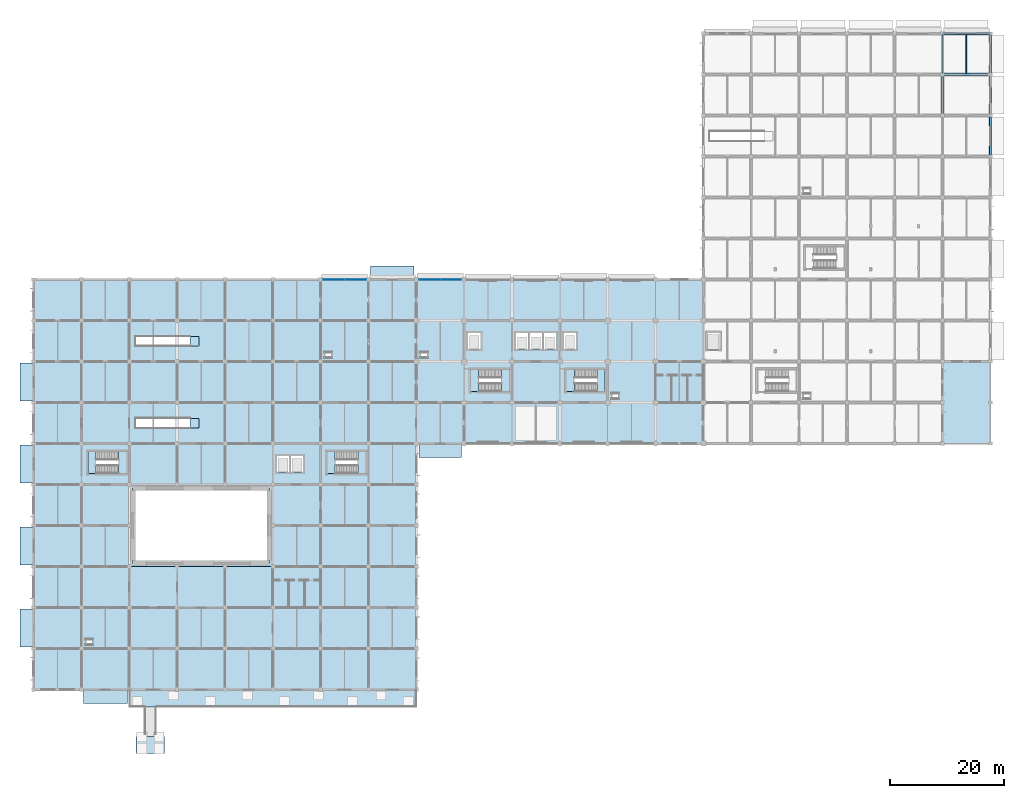
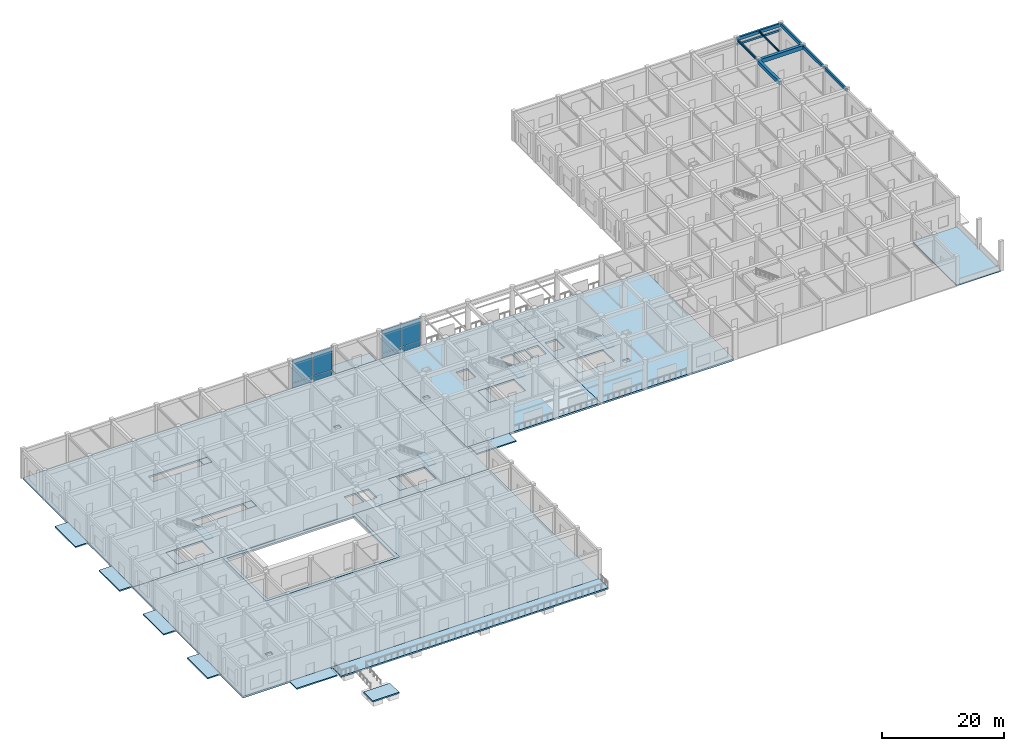
# One storey, part 10 of 39: 25 slabs, 9 beams, 8 plates, 7 elements without a shape of their own.
"""IFC4 building model written with IfcOpenShell, lengths in metres."""

from ifc_helpers import new_model, si_unit, derived_unit, direction, frame, origin, origin_2d, place, context, subcontext, project, spatial, polyline, rectangle, i_section, outline, extrude, material, layer, layer_set, material_profile, profile_set, type_object, element, aggregate, save


model = new_model("IFC4")

# Units and contexts
model_context = context("Model", 3, precision=1e-05, world=origin(), true_north=direction((0.0, 1.0)))
body_context = subcontext(model_context, "Body", "Model", "MODEL_VIEW")
ifc_project = project(units=[si_unit("LENGTHUNIT", "METRE"), si_unit("AREAUNIT", "SQUARE_METRE"), si_unit("VOLUMEUNIT", "CUBIC_METRE"), si_unit("PLANEANGLEUNIT", "RADIAN"), si_unit("MASSUNIT", "GRAM", prefix="KILO"), derived_unit("THERMALTRANSMITTANCEUNIT", [(si_unit("MASSUNIT", "GRAM", prefix="KILO"), 1), (si_unit("TIMEUNIT", "SECOND"), -3), (si_unit("THERMODYNAMICTEMPERATUREUNIT", "KELVIN"), -1)])], contexts=[model_context])

# Site, building, storey
site_placement = place(None, origin())
site = spatial("IfcSite", under=ifc_project, at=site_placement, CompositionType="ELEMENT")
building_placement = place(site_placement, origin())
building = spatial("IfcBuilding", under=site, at=building_placement, Name="Veldstrom Oceanarium and Marine Research Institute", CompositionType="ELEMENT")
storey_placement = place(building_placement, origin())
storey = spatial("IfcBuildingStorey", under=building, at=storey_placement, Name="L00", CompositionType="ELEMENT", Elevation=0.0)

# Beams
ifc_material_1 = material(Name="Concrete C40/50", Category="concrete")
ifc_material_profile_1 = material_profile(ifc_material_1, rectangle(XDim=0.550048828125, YDim=0.800048828125, at=origin_2d()), Name="RC-BM-550x800")
ifc_profile_set_1 = profile_set([ifc_material_profile_1], Name="Concrete C40/50")
beam_type_1 = type_object("IfcBeamType", Name="STR-BM-B02", PredefinedType="BEAM", material=ifc_profile_set_1)
beam_1_placement = place(storey_placement, frame((159.60009765625, 108.0, 5.3701171875), z_axis=(1.0, 0.0, 0.0), x_axis=(0.0, 1.0, 0.0)))
element("IfcBeam", 1, at=beam_1_placement, inside=storey, type_object=beam_type_1, Name="Primary Beam B02 L00-0889", PredefinedType="BEAM", context=body_context, shape_type="SweptSolid", body=[
    extrude(rectangle(XDim=0.550048828125, YDim=0.800048828125, at=origin_2d()), origin(), (0.0, 0.0, 1.0), 8.39990234375),
])
ifc_material_2 = material(Name="Concrete C40/50", Category="concrete")
ifc_material_profile_2 = material_profile(ifc_material_2, rectangle(XDim=0.5, YDim=0.75, at=origin_2d()), Name="RC-BM-500x750")
ifc_profile_set_2 = profile_set([ifc_material_profile_2], Name="Concrete C40/50")
beam_type_2 = type_object("IfcBeamType", Name="STR-BM-B03", PredefinedType="BEAM", material=ifc_profile_set_2)
beam_2_placement = place(storey_placement, frame((159.60009765625, 100.800048828125, 5.39501953125), z_axis=(0.0, 1.0, 0.0), x_axis=(-1.0, 0.0, 0.0)))
element("IfcBeam", 2, at=beam_2_placement, inside=storey, type_object=beam_type_2, Name="Primary Beam B03 L00-1053", PredefinedType="BEAM", context=body_context, shape_type="SweptSolid", body=[
    extrude(rectangle(XDim=0.5, YDim=0.75, at=origin_2d()), origin(), (0.0, 0.0, 1.0), 7.199951171875),
])
ifc_material_3 = material(Name="Steel S355JR", Category="steel")
ifc_material_profile_3 = material_profile(ifc_material_3, i_section(OverallWidth=0.199951171875, OverallDepth=0.5, WebThickness=0.01025390625, FlangeThickness=0.01611328125, FilletRadius=0.02099609375, at=origin_2d()), Name="IPE 500")
ifc_profile_set_3 = profile_set([ifc_material_profile_3], Name="Steel S355JR")
beam_type_3 = type_object("IfcBeamType", Name="STR-BM-SB6", PredefinedType="BEAM", material=ifc_profile_set_3)
beam_3_placement = place(storey_placement, frame((159.60009765625, 108.0, 5.52001953125), z_axis=(0.0, 1.0, 0.0), x_axis=(-1.0, 0.0, 0.0)))
element("IfcBeam", 3, at=beam_3_placement, inside=storey, type_object=beam_type_3, Name="Steel Tie Beam SB6 L00-1054", PredefinedType="BEAM", context=body_context, shape_type="SweptSolid", body=[
    extrude(i_section(OverallWidth=0.199951171875, OverallDepth=0.5, WebThickness=0.01025390625, FlangeThickness=0.01611328125, FilletRadius=0.02099609375, at=origin_2d()), origin(), (0.0, 0.0, 1.0), 7.199951171875),
])
ifc_material_4 = material(Name="Steel S355JR", Category="steel")
ifc_material_profile_4 = material_profile(ifc_material_4, i_section(OverallWidth=0.169921875, OverallDepth=0.360107421875, WebThickness=0.008056640625, FlangeThickness=0.0126953125, FilletRadius=0.01806640625, at=origin_2d()), Name="IPE 360")
ifc_profile_set_4 = profile_set([ifc_material_profile_4], Name="Steel S355JR")
beam_type_4 = type_object("IfcBeamType", Name="STR-JST-SJ1", PredefinedType="JOIST", material=ifc_profile_set_4)
beam_4_placement = place(storey_placement, frame((163.800048828125, 108.27490234375, 5.590087890625), z_axis=(0.0, 1.0, 0.0), x_axis=(-1.0, 0.0, 0.0)))
element("IfcBeam", 4, at=beam_4_placement, inside=storey, type_object=beam_type_4, Name="Secondary Joist SJ1 L00-1131", PredefinedType="JOIST", context=body_context, shape_type="SweptSolid", body=[
    extrude(i_section(OverallWidth=0.169921875, OverallDepth=0.360107421875, WebThickness=0.008056640625, FlangeThickness=0.0126953125, FilletRadius=0.01806640625, at=origin_2d()), origin(), (0.0, 0.0, 1.0), 6.75),
])
ifc_material_5 = material(Name="Concrete C40/50", Category="concrete")
ifc_material_profile_5 = material_profile(ifc_material_5, rectangle(XDim=0.300048828125, YDim=0.39990234375, at=origin_2d()), Name="RC-LNT-300x400")
ifc_profile_set_5 = profile_set([ifc_material_profile_5], Name="Concrete C40/50")
beam_type_5 = type_object("IfcBeamType", Name="STR-LNT-LN1", PredefinedType="LINTEL", material=ifc_profile_set_5)
beam_5_placement = place(storey_placement, frame((159.60009765625, 115.199951171875, 4.39990234375), z_axis=(1.0, 0.0, 0.0), x_axis=(0.0, 1.0, 0.0)))
element("IfcBeam", 5, at=beam_5_placement, inside=storey, type_object=beam_type_5, Name="Portal Lintel LN1-02", PredefinedType="LINTEL", context=body_context, shape_type="SweptSolid", body=[
    extrude(rectangle(XDim=0.300048828125, YDim=0.39990234375, at=origin_2d()), origin(), (0.0, 0.0, 1.0), 8.39990234375),
])
ifc_material_6 = material(Name="Concrete C40/50", Category="concrete")
ifc_material_profile_6 = material_profile(ifc_material_6, rectangle(XDim=0.35009765625, YDim=0.64990234375, at=origin_2d()), Name="RC-SPN-350x650")
ifc_profile_set_6 = profile_set([ifc_material_profile_6], Name="Concrete C40/50")
beam_type_6 = type_object("IfcBeamType", Name="STR-SPN-SP1", PredefinedType="SPANDREL", material=ifc_profile_set_6)
beam_6_placement = place(storey_placement, frame((159.60009765625, 115.199951171875, 5.445068359375), z_axis=(1.0, 0.0, 0.0), x_axis=(0.0, 1.0, 0.0)))
element("IfcBeam", 6, at=beam_6_placement, inside=storey, type_object=beam_type_6, Name="Perimeter Spandrel SPB1 L00-0890", PredefinedType="SPANDREL", context=body_context, shape_type="SweptSolid", body=[
    extrude(rectangle(XDim=0.35009765625, YDim=0.64990234375, at=origin_2d()), origin(), (0.0, 0.0, 1.0), 8.39990234375),
])
for number, where, z_axis, x_axis, name in (
    (7, (168.0, 93.60009765625, 5.445068359375), (0.0, 1.0, 0.0), (-1.0, 0.0, 0.0), "Perimeter Spandrel SPB1 L00-1060"),
    (8, (168.0, 100.800048828125, 5.445068359375), (0.0, 1.0, 0.0), (-1.0, 0.0, 0.0), "Perimeter Spandrel SPB1 L00-1061"),
    (9, (168.0, 108.0, 5.445068359375), (0.0, 1.0, 0.0), (-1.0, 0.0, 0.0), "Perimeter Spandrel SPB1 L00-1062"),
):
    element("IfcBeam", number, at=place(storey_placement, frame(where, z_axis=z_axis, x_axis=x_axis)), inside=storey, type_object=beam_type_6, Name=name, PredefinedType="SPANDREL", context=body_context, shape_type="SweptSolid", body=[
        extrude(rectangle(XDim=0.35009765625, YDim=0.64990234375, at=origin_2d()), origin(), (0.0, 0.0, 1.0), 7.199951171875),
    ])

# Curtain wall, plates
ifc_material_7 = material(Name="Anodised Aluminium Framing", Category="aluminium")
curtain_wall_type = type_object("IfcCurtainWallType", Name="ARC-CW-CW01", PredefinedType="USERDEFINED", material=ifc_material_7)
curtain_wall_1_placement = place(storey_placement, origin())
curtain_wall_1 = element("IfcCurtainWall", 10, at=curtain_wall_1_placement, inside=storey, type_object=curtain_wall_type, Name="Curtain Wall CW01 CW-L00-001", ObjectType="Curtain wall", PredefinedType="USERDEFINED")
ifc_material_8 = material(Name="Double Glazed Low-E IGU", Category="glass")
ifc_layer_1 = layer(ifc_material_8, 0.035888671875)
ifc_layer_set_1 = layer_set([ifc_layer_1], Name="ARC-PLT-CP01")
plate_type_1 = type_object("IfcPlateType", Name="ARC-PLT-CP01", PredefinedType="CURTAIN_PANEL", material=ifc_layer_set_1)
plate_1_placement = place(storey_placement, frame((52.695068359375, 72.0, 1.090087890625), z_axis=(0.0, 0.0, 1.0), x_axis=(1.0, 0.0, 0.0)))
plate_1 = element("IfcPlate", 11, at=plate_1_placement, type_object=plate_type_1, Name="Curtain Vision Panel CW-L00-001-PNL-V1", PredefinedType="CURTAIN_PANEL", context=body_context, shape_type="SweptSolid", body=[
    extrude(rectangle(XDim=3.72998046875, YDim=0.035888671875, at=origin_2d()), origin(), (0.0, 0.0, 1.0), 4.56494140625),
])
plate_2_placement = place(storey_placement, frame((56.5048828125, 72.0, 1.090087890625), z_axis=(0.0, 0.0, 1.0), x_axis=(1.0, 0.0, 0.0)))
plate_2 = element("IfcPlate", 12, at=plate_2_placement, type_object=plate_type_1, Name="Curtain Vision Panel CW-L00-001-PNL-V2", PredefinedType="CURTAIN_PANEL", context=body_context, shape_type="SweptSolid", body=[
    extrude(rectangle(XDim=3.72998046875, YDim=0.035888671875, at=origin_2d()), origin(), (0.0, 0.0, 1.0), 4.56494140625),
])

curtain_wall_2_placement = place(storey_placement, origin())
curtain_wall_2 = element("IfcCurtainWall", 13, at=curtain_wall_2_placement, inside=storey, type_object=curtain_wall_type, Name="Curtain Wall CW01 CW-L00-002", ObjectType="Curtain wall", PredefinedType="USERDEFINED")
plate_3_placement = place(storey_placement, frame((69.544921875, 72.0, 1.090087890625), z_axis=(0.0, 0.0, 1.0), x_axis=(1.0, 0.0, 0.0)))
plate_3 = element("IfcPlate", 14, at=plate_3_placement, type_object=plate_type_1, Name="Curtain Vision Panel CW-L00-002-PNL-V1", PredefinedType="CURTAIN_PANEL", context=body_context, shape_type="SweptSolid", body=[
    extrude(rectangle(XDim=3.6298828125, YDim=0.035888671875, at=origin_2d()), origin(), (0.0, 0.0, 1.0), 4.56494140625),
])
plate_4_placement = place(storey_placement, frame((73.2548828125, 72.0, 1.090087890625), z_axis=(0.0, 0.0, 1.0), x_axis=(1.0, 0.0, 0.0)))
plate_4 = element("IfcPlate", 15, at=plate_4_placement, type_object=plate_type_1, Name="Curtain Vision Panel CW-L00-002-PNL-V2", PredefinedType="CURTAIN_PANEL", context=body_context, shape_type="SweptSolid", body=[
    extrude(rectangle(XDim=3.6298828125, YDim=0.035888671875, at=origin_2d()), origin(), (0.0, 0.0, 1.0), 4.56494140625),
])

# Plate
ifc_material_9 = material(Name="Insulated Aluminium Spandrel", Category="aluminium")
ifc_layer_2 = layer(ifc_material_9, 0.044921875)
ifc_layer_set_2 = layer_set([ifc_layer_2], Name="ARC-PLT-CP02")
plate_type_2 = type_object("IfcPlateType", Name="ARC-PLT-CP02", PredefinedType="CURTAIN_PANEL", material=ifc_layer_set_2)
plate_5_placement = place(storey_placement, frame((52.695068359375, 72.0, 0.02001953125), z_axis=(0.0, 0.0, 1.0), x_axis=(1.0, 0.0, 0.0)))
plate_5 = element("IfcPlate", 16, at=plate_5_placement, type_object=plate_type_2, Name="Curtain Spandrel Panel CW-L00-001-PNL-S1", PredefinedType="CURTAIN_PANEL", context=body_context, shape_type="SweptSolid", body=[
    extrude(rectangle(XDim=3.72998046875, YDim=0.044921875, at=origin_2d()), origin(), (0.0, 0.0, 1.0), 0.989990234375),
])

plate_6_placement = place(storey_placement, frame((56.5048828125, 72.0, 0.02001953125), z_axis=(0.0, 0.0, 1.0), x_axis=(1.0, 0.0, 0.0)))
plate_6 = element("IfcPlate", 17, at=plate_6_placement, type_object=plate_type_2, Name="Curtain Spandrel Panel CW-L00-001-PNL-S2", PredefinedType="CURTAIN_PANEL", context=body_context, shape_type="SweptSolid", body=[
    extrude(rectangle(XDim=3.72998046875, YDim=0.044921875, at=origin_2d()), origin(), (0.0, 0.0, 1.0), 0.989990234375),
])

aggregate(curtain_wall_1, [plate_5, plate_1, plate_6, plate_2])

plate_7_placement = place(storey_placement, frame((69.544921875, 72.0, 0.02001953125), z_axis=(0.0, 0.0, 1.0), x_axis=(1.0, 0.0, 0.0)))
plate_7 = element("IfcPlate", 18, at=plate_7_placement, type_object=plate_type_2, Name="Curtain Spandrel Panel CW-L00-002-PNL-S1", PredefinedType="CURTAIN_PANEL", context=body_context, shape_type="SweptSolid", body=[
    extrude(rectangle(XDim=3.6298828125, YDim=0.044921875, at=origin_2d()), origin(), (0.0, 0.0, 1.0), 0.989990234375),
])

plate_8_placement = place(storey_placement, frame((73.2548828125, 72.0, 0.02001953125), z_axis=(0.0, 0.0, 1.0), x_axis=(1.0, 0.0, 0.0)))
plate_8 = element("IfcPlate", 19, at=plate_8_placement, type_object=plate_type_2, Name="Curtain Spandrel Panel CW-L00-002-PNL-S2", PredefinedType="CURTAIN_PANEL", context=body_context, shape_type="SweptSolid", body=[
    extrude(rectangle(XDim=3.6298828125, YDim=0.044921875, at=origin_2d()), origin(), (0.0, 0.0, 1.0), 0.989990234375),
])

aggregate(curtain_wall_2, [plate_7, plate_3, plate_8, plate_4])

# Slabs
ifc_material_10 = material(Name="Concrete C40/50", Category="concrete")
ifc_layer_3 = layer(ifc_material_10, 0.25)
ifc_layer_set_3 = layer_set([ifc_layer_3], Name="STR-SLB-FL0250")
slab_type_1 = type_object("IfcSlabType", Name="STR-SLB-FL0250", PredefinedType="FLOOR", material=ifc_layer_set_3)
slab_1_placement = place(storey_placement, frame((0.0, 0.0, -0.25)))
element("IfcSlab", 20, at=slab_1_placement, inside=storey, type_object=slab_type_1, Name="Street Threshold Paving Apron D-L00-001", PredefinedType="FLOOR", context=body_context, shape_type="SweptSolid", body=[
    extrude(outline(polyline([(-2.39990234375, 7.449951171875), (0.0, 7.449951171875), (0.0, 14.14990234375), (-2.39990234375, 14.14990234375), (-2.39990234375, 7.449951171875)])), origin(), (0.0, 0.0, 1.0), 0.25),
])
slab_2_placement = place(storey_placement, frame((0.0, 0.0, -0.25)))
element("IfcSlab", 21, at=slab_2_placement, inside=storey, type_object=slab_type_1, Name="Street Threshold Paving Apron D-L00-002", PredefinedType="FLOOR", context=body_context, shape_type="SweptSolid", body=[
    extrude(outline(polyline([(-2.39990234375, 21.85009765625), (0.0, 21.85009765625), (0.0, 28.550048828125), (-2.39990234375, 28.550048828125), (-2.39990234375, 21.85009765625)])), origin(), (0.0, 0.0, 1.0), 0.25),
])
slab_3_placement = place(storey_placement, frame((0.0, 0.0, -0.25)))
element("IfcSlab", 22, at=slab_3_placement, inside=storey, type_object=slab_type_1, Name="Street Threshold Paving Apron D-L00-003", PredefinedType="FLOOR", context=body_context, shape_type="SweptSolid", body=[
    extrude(outline(polyline([(-2.39990234375, 36.25), (0.0, 36.25), (0.0, 42.949951171875), (-2.39990234375, 42.949951171875), (-2.39990234375, 36.25)])), origin(), (0.0, 0.0, 1.0), 0.25),
])
slab_4_placement = place(storey_placement, frame((0.0, 0.0, -0.25)))
element("IfcSlab", 23, at=slab_4_placement, inside=storey, type_object=slab_type_1, Name="Street Threshold Paving Apron D-L00-004", PredefinedType="FLOOR", context=body_context, shape_type="SweptSolid", body=[
    extrude(outline(polyline([(-2.39990234375, 50.64990234375), (0.0, 50.64990234375), (0.0, 57.35009765625), (-2.39990234375, 57.35009765625), (-2.39990234375, 50.64990234375)])), origin(), (0.0, 0.0, 1.0), 0.25),
])
slab_5_placement = place(storey_placement, frame((0.0, 0.0, -0.25)))
element("IfcSlab", 24, at=slab_5_placement, inside=storey, type_object=slab_type_1, Name="Street Threshold Paving Apron D-L00-005", PredefinedType="FLOOR", context=body_context, shape_type="SweptSolid", body=[
    extrude(outline(polyline([(8.75, -2.39990234375), (16.449951171875, -2.39990234375), (16.449951171875, 0.0), (8.75, 0.0), (8.75, -2.39990234375)])), origin(), (0.0, 0.0, 1.0), 0.25),
])
slab_6_placement = place(storey_placement, frame((0.0, 0.0, -0.25)))
element("IfcSlab", 25, at=slab_6_placement, inside=storey, type_object=slab_type_1, Name="Street Threshold Paving Apron D-L00-012", PredefinedType="FLOOR", context=body_context, shape_type="SweptSolid", body=[
    extrude(outline(polyline([(59.14990234375, 72.0), (66.75, 72.0), (66.75, 74.39990234375), (59.14990234375, 74.39990234375), (59.14990234375, 72.0)])), origin(), (0.0, 0.0, 1.0), 0.25),
])
slab_7_placement = place(storey_placement, frame((0.0, 0.0, -0.25)))
element("IfcSlab", 26, at=slab_7_placement, inside=storey, type_object=slab_type_1, Name="Street Threshold Paving Apron D-L00-013", PredefinedType="FLOOR", context=body_context, shape_type="SweptSolid", body=[
    extrude(outline(polyline([(67.64990234375, 40.800048828125), (75.14990234375, 40.800048828125), (75.14990234375, 43.199951171875), (67.64990234375, 43.199951171875), (67.64990234375, 40.800048828125)])), origin(), (0.0, 0.0, 1.0), 0.25),
])

# Ramp, slab
ifc_material_11 = material(Name="Concrete C40/50", Category="concrete")
ramp_type = type_object("IfcRampType", Name="ARC-RMP-R01", PredefinedType="STRAIGHT_RUN_RAMP", material=ifc_material_11)
ramp_placement = place(storey_placement, origin())
ramp = element("IfcRamp", 27, at=ramp_placement, inside=storey, type_object=ramp_type, Name="Main Entrance Accessible Ramp R01", PredefinedType="STRAIGHT_RUN_RAMP")
slab_8_placement = place(storey_placement, frame((0.0, 0.0, -0.679931640625)))
slab_8 = element("IfcSlab", 28, at=slab_8_placement, type_object=slab_type_1, Name="Accessible Forecourt Ramp Foot Landing Slab", PredefinedType="FLOOR", context=body_context, shape_type="SweptSolid", body=[
    extrude(outline(polyline([(18.0, -11.199951171875), (23.0, -11.199951171875), (23.0, -8.199951171875), (18.0, -8.199951171875), (18.0, -11.199951171875)])), origin(), (0.0, 0.0, 1.0), 0.25),
])
aggregate(ramp, [slab_8])

# Slabs
ifc_material_12 = material(Name="Concrete C40/50", Category="concrete")
ifc_layer_4 = layer(ifc_material_12, 0.300048828125)
ifc_layer_set_4 = layer_set([ifc_layer_4], Name="STR-SLB-FL0300")
slab_type_2 = type_object("IfcSlabType", Name="STR-SLB-FL0300", PredefinedType="FLOOR", material=ifc_layer_set_4)
slab_9_placement = place(storey_placement, frame((0.0, 0.0, -0.300048828125)))
element("IfcSlab", 29, at=slab_9_placement, inside=storey, type_object=slab_type_2, Name="Forecourt Entrance Plaza Slab L00", PredefinedType="FLOOR", context=body_context, shape_type="SweptSolid", body=[
    extrude(outline(polyline([(16.800048828125, -3.0), (67.199951171875, -3.0), (67.199951171875, 0.0), (16.800048828125, 0.0), (16.800048828125, -3.0)])), origin(), (0.0, 0.0, 1.0), 0.300048828125),
])
ifc_material_13 = material(Name="Concrete C40/50", Category="concrete")
ifc_layer_5 = layer(ifc_material_13, 0.35009765625)
ifc_layer_set_5 = layer_set([ifc_layer_5], Name="STR-SLB-FL0350")
slab_type_3 = type_object("IfcSlabType", Name="STR-SLB-FL0350", PredefinedType="FLOOR", material=ifc_layer_set_5)
slab_10_placement = place(storey_placement, frame((0.0, 0.0, -0.35009765625)))
element("IfcSlab", 30, at=slab_10_placement, inside=storey, type_object=slab_type_3, Name="Slab SF-350 L00 OT", PredefinedType="FLOOR", context=body_context, shape_type="SweptSolid", body=[
    extrude(outline(polyline([(25.199951171875, 21.60009765625), (16.800048828125, 21.60009765625), (16.800048828125, 28.800048828125), (16.800048828125, 36.0), (25.199951171875, 36.0), (33.60009765625, 36.0), (42.0, 36.0), (42.0, 28.800048828125), (42.0, 21.60009765625), (33.60009765625, 21.60009765625), (25.199951171875, 21.60009765625)]), holes=[polyline([(17.39990234375, 35.39990234375), (17.39990234375, 22.199951171875), (41.39990234375, 22.199951171875), (41.39990234375, 35.39990234375), (17.39990234375, 35.39990234375)])]), origin(), (0.0, 0.0, 1.0), 0.35009765625),
])
slab_11_placement = place(storey_placement, frame((0.0, 0.0, -0.35009765625)))
element("IfcSlab", 31, at=slab_11_placement, inside=storey, type_object=slab_type_3, Name="Slab SF-350 L00 WS", PredefinedType="FLOOR", context=body_context, shape_type="SweptSolid", body=[
    extrude(outline(polyline([(58.800048828125, 36.0), (67.199951171875, 36.0), (67.199951171875, 28.800048828125), (67.199951171875, 21.60009765625), (67.199951171875, 14.39990234375), (67.199951171875, 7.199951171875), (67.199951171875, 0.0), (58.800048828125, 0.0), (50.39990234375, 0.0), (42.0, 0.0), (33.60009765625, 0.0), (25.199951171875, 0.0), (16.800048828125, 0.0), (8.39990234375, 0.0), (0.0, 0.0), (0.0, 7.199951171875), (0.0, 14.39990234375), (0.0, 21.60009765625), (0.0, 28.800048828125), (0.0, 36.0), (8.39990234375, 36.0), (16.800048828125, 36.0), (16.800048828125, 28.800048828125), (16.800048828125, 21.60009765625), (25.199951171875, 21.60009765625), (33.60009765625, 21.60009765625), (42.0, 21.60009765625), (42.0, 28.800048828125), (42.0, 36.0), (50.39990234375, 36.0), (58.800048828125, 36.0)]), holes=[polyline([(10.300048828125, 8.800048828125), (9.199951171875, 8.800048828125), (9.199951171875, 8.0), (10.300048828125, 8.0), (10.300048828125, 8.800048828125)])]), origin(), (0.0, 0.0, 1.0), 0.35009765625),
])
slab_12_placement = place(storey_placement, frame((0.0, 0.0, -0.35009765625)))
element("IfcSlab", 32, at=slab_12_placement, inside=storey, type_object=slab_type_3, Name="Slab SF-350 L00 WN", PredefinedType="FLOOR", context=body_context, shape_type="SweptSolid", body=[
    extrude(outline(polyline([(67.199951171875, 50.39990234375), (67.199951171875, 43.199951171875), (67.199951171875, 36.0), (58.800048828125, 36.0), (50.39990234375, 36.0), (42.0, 36.0), (33.60009765625, 36.0), (25.199951171875, 36.0), (16.800048828125, 36.0), (8.39990234375, 36.0), (0.0, 36.0), (0.0, 43.199951171875), (0.0, 50.39990234375), (0.0, 57.60009765625), (0.0, 64.800048828125), (0.0, 72.0), (8.39990234375, 72.0), (16.800048828125, 72.0), (25.199951171875, 72.0), (33.60009765625, 72.0), (42.0, 72.0), (50.39990234375, 72.0), (58.800048828125, 72.0), (67.199951171875, 72.0), (67.199951171875, 64.800048828125), (67.199951171875, 57.60009765625), (67.199951171875, 50.39990234375)]), holes=[polyline([(16.360107421875, 38.0), (16.360107421875, 41.800048828125), (9.52001953125, 41.800048828125), (9.52001953125, 38.0), (16.360107421875, 38.0)]), polyline([(51.52001953125, 41.800048828125), (51.52001953125, 38.0), (58.360107421875, 38.0), (58.360107421875, 41.800048828125), (51.52001953125, 41.800048828125)]), polyline([(29.0400390625, 45.945068359375), (29.0400390625, 47.655029296875), (17.8798828125, 47.655029296875), (17.8798828125, 45.945068359375), (29.0400390625, 45.945068359375)]), polyline([(17.8798828125, 60.39501953125), (29.0400390625, 60.39501953125), (29.0400390625, 62.0048828125), (17.8798828125, 62.0048828125), (17.8798828125, 60.39501953125)]), polyline([(44.85009765625, 38.199951171875), (44.85009765625, 41.0), (42.699951171875, 41.0), (42.699951171875, 38.199951171875), (44.85009765625, 38.199951171875)]), polyline([(45.14990234375, 38.199951171875), (47.300048828125, 38.199951171875), (47.300048828125, 41.0), (45.14990234375, 41.0), (45.14990234375, 38.199951171875)]), polyline([(52.300048828125, 59.199951171875), (51.199951171875, 59.199951171875), (51.199951171875, 58.39990234375), (52.300048828125, 58.39990234375), (52.300048828125, 59.199951171875)])]), origin(), (0.0, 0.0, 1.0), 0.35009765625),
])
slab_13_placement = place(storey_placement, frame((0.0, 0.0, -0.35009765625)))
element("IfcSlab", 33, at=slab_13_placement, inside=storey, type_object=slab_type_3, Name="Slab SF-350 L00 CW", PredefinedType="FLOOR", context=body_context, shape_type="SweptSolid", body=[
    extrude(outline(polyline([(92.39990234375, 72.0), (92.39990234375, 64.800048828125), (92.39990234375, 57.60009765625), (92.39990234375, 50.39990234375), (92.39990234375, 43.199951171875), (84.0, 43.199951171875), (75.60009765625, 43.199951171875), (67.199951171875, 43.199951171875), (67.199951171875, 50.39990234375), (67.199951171875, 57.60009765625), (67.199951171875, 64.800048828125), (67.199951171875, 72.0), (75.60009765625, 72.0), (84.0, 72.0), (92.39990234375, 72.0)]), holes=[polyline([(76.719970703125, 56.199951171875), (76.719970703125, 52.39990234375), (83.56005859375, 52.39990234375), (83.56005859375, 56.199951171875), (76.719970703125, 56.199951171875)]), polyline([(78.449951171875, 62.60009765625), (76.300048828125, 62.60009765625), (76.300048828125, 59.800048828125), (78.449951171875, 59.800048828125), (78.449951171875, 62.60009765625)]), polyline([(84.699951171875, 59.800048828125), (86.85009765625, 59.800048828125), (86.85009765625, 62.60009765625), (84.699951171875, 62.60009765625), (84.699951171875, 59.800048828125)]), polyline([(87.14990234375, 62.60009765625), (87.14990234375, 59.800048828125), (89.300048828125, 59.800048828125), (89.300048828125, 62.60009765625), (87.14990234375, 62.60009765625)]), polyline([(91.75, 62.60009765625), (89.60009765625, 62.60009765625), (89.60009765625, 59.800048828125), (91.75, 59.800048828125), (91.75, 62.60009765625)]), polyline([(69.10009765625, 59.199951171875), (68.0, 59.199951171875), (68.0, 58.39990234375), (69.10009765625, 58.39990234375), (69.10009765625, 59.199951171875)])]), origin(), (0.0, 0.0, 1.0), 0.35009765625),
])
slab_14_placement = place(storey_placement, frame((0.0, 0.0, -0.35009765625)))
element("IfcSlab", 34, at=slab_14_placement, inside=storey, type_object=slab_type_3, Name="Slab SF-350 L00 CE", PredefinedType="FLOOR", context=body_context, shape_type="SweptSolid", body=[
    extrude(outline(polyline([(109.199951171875, 72.0), (117.60009765625, 72.0), (117.60009765625, 64.800048828125), (117.60009765625, 57.60009765625), (117.60009765625, 50.39990234375), (117.60009765625, 43.199951171875), (109.199951171875, 43.199951171875), (100.800048828125, 43.199951171875), (92.39990234375, 43.199951171875), (92.39990234375, 50.39990234375), (92.39990234375, 57.60009765625), (92.39990234375, 64.800048828125), (92.39990234375, 72.0), (100.800048828125, 72.0), (109.199951171875, 72.0)]), holes=[polyline([(100.360107421875, 56.199951171875), (93.52001953125, 56.199951171875), (93.52001953125, 52.39990234375), (100.360107421875, 52.39990234375), (100.360107421875, 56.199951171875)]), polyline([(95.25, 59.800048828125), (95.25, 62.60009765625), (93.10009765625, 62.60009765625), (93.10009765625, 59.800048828125), (95.25, 59.800048828125)]), polyline([(102.699951171875, 52.0), (101.60009765625, 52.0), (101.60009765625, 51.199951171875), (102.699951171875, 51.199951171875), (102.699951171875, 52.0)])]), origin(), (0.0, 0.0, 1.0), 0.35009765625),
])

# Stair, slab
ifc_material_14 = material(Name="Concrete C40/50", Category="concrete")
stair_type = type_object("IfcStairType", Name="ARC-STR-ST-600", PredefinedType="TWO_STRAIGHT_RUN_STAIR", material=ifc_material_14)
stair_1_placement = place(storey_placement, origin())
stair_1 = element("IfcStair", 35, at=stair_1_placement, inside=storey, type_object=stair_type, Name="Dog-Leg Escape Stair ST1-L00", PredefinedType="TWO_STRAIGHT_RUN_STAIR")
ifc_material_15 = material(Name="Concrete C40/50", Category="concrete")
ifc_layer_6 = layer(ifc_material_15, 0.179931640625)
ifc_layer_set_6 = layer_set([ifc_layer_6], Name="STR-SLB-LD180")
slab_type_4 = type_object("IfcSlabType", Name="STR-SLB-LD180", PredefinedType="LANDING", material=ifc_layer_set_6)
slab_15_placement = place(storey_placement, frame((0.0, 0.0, 2.820068359375)))
slab_15 = element("IfcSlab", 36, at=slab_15_placement, type_object=slab_type_4, Name="Stair Half-Landing ST1 L00", PredefinedType="LANDING", context=body_context, shape_type="SweptSolid", body=[
    extrude(outline(polyline([(82.139892578125, 52.39990234375), (83.56005859375, 52.39990234375), (83.56005859375, 56.199951171875), (82.139892578125, 56.199951171875), (82.139892578125, 52.39990234375)])), origin(), (0.0, 0.0, 1.0), 0.179931640625),
])
aggregate(stair_1, [slab_15])

stair_2_placement = place(storey_placement, origin())
stair_2 = element("IfcStair", 37, at=stair_2_placement, inside=storey, type_object=stair_type, Name="Dog-Leg Escape Stair ST2-L00", PredefinedType="TWO_STRAIGHT_RUN_STAIR")
slab_16_placement = place(storey_placement, frame((0.0, 0.0, 2.820068359375)))
slab_16 = element("IfcSlab", 38, at=slab_16_placement, type_object=slab_type_4, Name="Stair Half-Landing ST2 L00", PredefinedType="LANDING", context=body_context, shape_type="SweptSolid", body=[
    extrude(outline(polyline([(98.93994140625, 52.39990234375), (100.360107421875, 52.39990234375), (100.360107421875, 56.199951171875), (98.93994140625, 56.199951171875), (98.93994140625, 52.39990234375)])), origin(), (0.0, 0.0, 1.0), 0.179931640625),
])
aggregate(stair_2, [slab_16])

stair_3_placement = place(storey_placement, origin())
stair_3 = element("IfcStair", 39, at=stair_3_placement, inside=storey, type_object=stair_type, Name="Dog-Leg Escape Stair ST3-L00", PredefinedType="TWO_STRAIGHT_RUN_STAIR")
slab_17_placement = place(storey_placement, frame((0.0, 0.0, 2.820068359375)))
slab_17 = element("IfcSlab", 40, at=slab_17_placement, type_object=slab_type_4, Name="Stair Half-Landing ST3 L00", PredefinedType="LANDING", context=body_context, shape_type="SweptSolid", body=[
    extrude(outline(polyline([(14.93994140625, 38.0), (16.360107421875, 38.0), (16.360107421875, 41.800048828125), (14.93994140625, 41.800048828125), (14.93994140625, 38.0)])), origin(), (0.0, 0.0, 1.0), 0.179931640625),
])
aggregate(stair_3, [slab_17])

stair_4_placement = place(storey_placement, origin())
stair_4 = element("IfcStair", 41, at=stair_4_placement, inside=storey, type_object=stair_type, Name="Dog-Leg Escape Stair ST6-L00", PredefinedType="TWO_STRAIGHT_RUN_STAIR")
slab_18_placement = place(storey_placement, frame((0.0, 0.0, 2.820068359375)))
slab_18 = element("IfcSlab", 42, at=slab_18_placement, type_object=slab_type_4, Name="Stair Half-Landing ST6 L00", PredefinedType="LANDING", context=body_context, shape_type="SweptSolid", body=[
    extrude(outline(polyline([(56.93994140625, 38.0), (58.360107421875, 38.0), (58.360107421875, 41.800048828125), (56.93994140625, 41.800048828125), (56.93994140625, 38.0)])), origin(), (0.0, 0.0, 1.0), 0.179931640625),
])
aggregate(stair_4, [slab_18])

# Slabs
ifc_material_16 = material(Name="Concrete C40/50", Category="concrete")
ifc_layer_7 = layer(ifc_material_16, 0.199951171875)
ifc_layer_set_7 = layer_set([ifc_layer_7], Name="STR-SLB-LD200")
slab_type_5 = type_object("IfcSlabType", Name="STR-SLB-LD200", PredefinedType="LANDING", material=ifc_layer_set_7)
slab_19_placement = place(storey_placement, frame((0.0, 0.0, -0.199951171875)))
element("IfcSlab", 43, at=slab_19_placement, inside=storey, type_object=slab_type_5, Name="Stair Floor Landing ST1 L00", PredefinedType="LANDING", context=body_context, shape_type="SweptSolid", body=[
    extrude(outline(polyline([(76.719970703125, 52.39990234375), (78.139892578125, 52.39990234375), (78.139892578125, 56.199951171875), (76.719970703125, 56.199951171875), (76.719970703125, 52.39990234375)])), origin(), (0.0, 0.0, 1.0), 0.199951171875),
])
slab_20_placement = place(storey_placement, frame((0.0, 0.0, -0.199951171875)))
element("IfcSlab", 44, at=slab_20_placement, inside=storey, type_object=slab_type_5, Name="Stair Floor Landing ST2 L00", PredefinedType="LANDING", context=body_context, shape_type="SweptSolid", body=[
    extrude(outline(polyline([(93.52001953125, 52.39990234375), (94.93994140625, 52.39990234375), (94.93994140625, 56.199951171875), (93.52001953125, 56.199951171875), (93.52001953125, 52.39990234375)])), origin(), (0.0, 0.0, 1.0), 0.199951171875),
])
slab_21_placement = place(storey_placement, frame((0.0, 0.0, -0.199951171875)))
element("IfcSlab", 45, at=slab_21_placement, inside=storey, type_object=slab_type_5, Name="Stair Floor Landing ST3 L00", PredefinedType="LANDING", context=body_context, shape_type="SweptSolid", body=[
    extrude(outline(polyline([(9.52001953125, 38.0), (10.93994140625, 38.0), (10.93994140625, 41.800048828125), (9.52001953125, 41.800048828125), (9.52001953125, 38.0)])), origin(), (0.0, 0.0, 1.0), 0.199951171875),
])
slab_22_placement = place(storey_placement, frame((0.0, 0.0, -0.199951171875)))
element("IfcSlab", 46, at=slab_22_placement, inside=storey, type_object=slab_type_5, Name="Stair Floor Landing ST6 L00", PredefinedType="LANDING", context=body_context, shape_type="SweptSolid", body=[
    extrude(outline(polyline([(51.52001953125, 38.0), (52.93994140625, 38.0), (52.93994140625, 41.800048828125), (51.52001953125, 41.800048828125), (51.52001953125, 38.0)])), origin(), (0.0, 0.0, 1.0), 0.199951171875),
])
slab_23_placement = place(storey_placement, frame((0.0, 0.0, -0.199951171875)))
element("IfcSlab", 47, at=slab_23_placement, inside=storey, type_object=slab_type_5, Name="Gallery Straight Stair Arrival Landing ST5-04", PredefinedType="LANDING", context=body_context, shape_type="SweptSolid", body=[
    extrude(outline(polyline([(27.43994140625, 45.965087890625), (29.0400390625, 45.965087890625), (29.0400390625, 47.635009765625), (27.43994140625, 47.635009765625), (27.43994140625, 45.965087890625)])), origin(), (0.0, 0.0, 1.0), 0.199951171875),
])
slab_24_placement = place(storey_placement, frame((0.0, 0.0, -0.199951171875)))
element("IfcSlab", 48, at=slab_24_placement, inside=storey, type_object=slab_type_5, Name="Gallery Straight Stair Arrival Landing ST5-05", PredefinedType="LANDING", context=body_context, shape_type="SweptSolid", body=[
    extrude(outline(polyline([(27.43994140625, 60.4150390625), (29.0400390625, 60.4150390625), (29.0400390625, 61.985107421875), (27.43994140625, 61.985107421875), (27.43994140625, 60.4150390625)])), origin(), (0.0, 0.0, 1.0), 0.199951171875),
])
ifc_material_17 = material(Name="Concrete C40/50", Category="concrete")
ifc_layer_8 = layer(ifc_material_17, 0.22509765625)
ifc_layer_set_8 = layer_set([ifc_layer_8], Name="STR-SLB-RF0225")
slab_type_6 = type_object("IfcSlabType", Name="STR-SLB-RF0225", PredefinedType="ROOF", material=ifc_layer_set_8)
slab_25_placement = place(storey_placement, frame((0.0, 0.0, -0.22509765625)))
element("IfcSlab", 49, at=slab_25_placement, inside=storey, type_object=slab_type_6, Name="Maintenance Roof Slab B01", PredefinedType="ROOF", context=body_context, shape_type="SweptSolid", body=[
    extrude(outline(polyline([(168.0, 43.199951171875), (159.60009765625, 43.199951171875), (159.60009765625, 50.39990234375), (159.60009765625, 57.60009765625), (168.0, 57.60009765625), (168.0, 50.39990234375), (168.0, 43.199951171875)])), origin(), (0.0, 0.0, 1.0), 0.22509765625),
])

save(model, "model.ifc")
